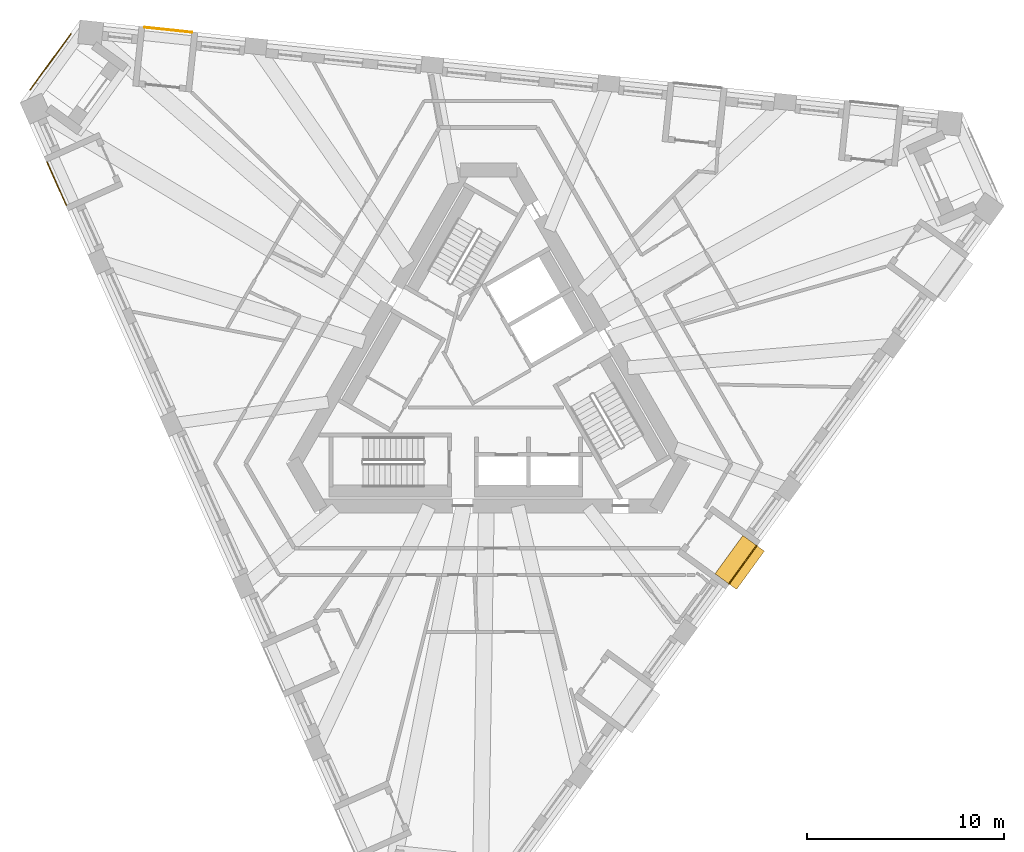
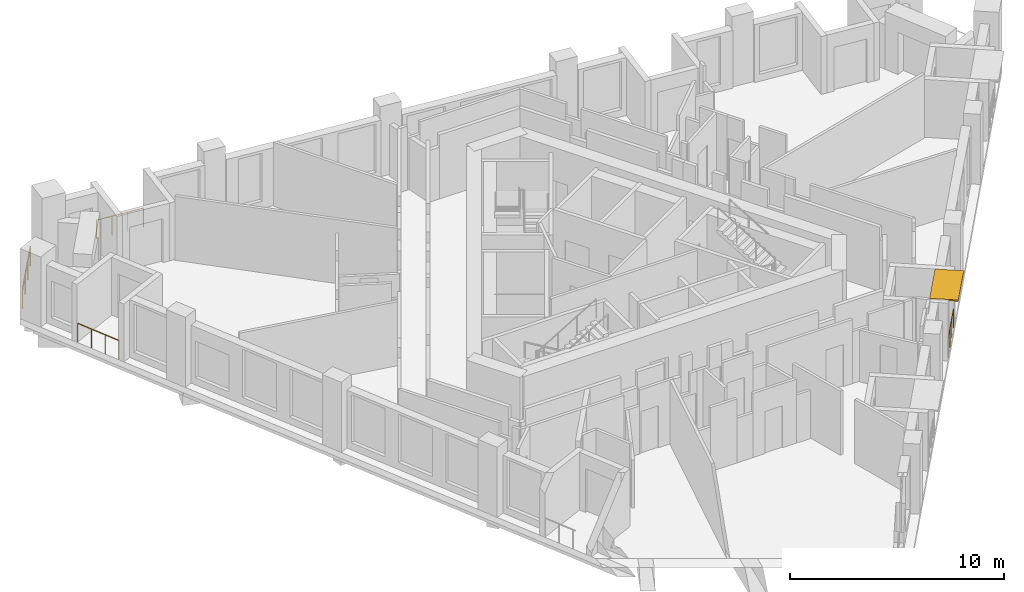
# One storey, part 10 of 11: 4 railings, 1 shading device.
"""IFC4 building model written with IfcOpenShell, lengths in metres."""

from ifc_helpers import new_model, si_unit, direction, frame, origin, origin_2d, place, context, subcontext, project, spatial, rectangle, circle, extrude, material, layer, layer_set, type_object, element, save


model = new_model("IFC4")

# Units and contexts
model_context = context("Model", 3, precision=1e-05, world=origin(), true_north=direction((0.0, 1.0)))
body_context = subcontext(model_context, "Body", "Model", "MODEL_VIEW")
ifc_project = project(units=[si_unit("LENGTHUNIT", "METRE"), si_unit("AREAUNIT", "SQUARE_METRE"), si_unit("VOLUMEUNIT", "CUBIC_METRE"), si_unit("PLANEANGLEUNIT", "RADIAN"), si_unit("MASSUNIT", "GRAM", prefix="KILO")], contexts=[model_context])

# Site, building, storey
site_placement = place(None, origin())
site = spatial("IfcSite", under=ifc_project, at=site_placement, CompositionType="ELEMENT")
building_placement = place(site_placement, origin())
building = spatial("IfcBuilding", under=site, at=building_placement, Name="Tramontana Tower", CompositionType="ELEMENT")
storey_placement = place(building_placement, frame((0.0, 0.0, 253.199951171875)))
storey = spatial("IfcBuildingStorey", under=building, at=storey_placement, Name="L59", CompositionType="ELEMENT", Elevation=253.199951171875)

# Railings
ifc_material_1 = material(Name="Laminated glass balustrade", Category="glass")
railing_type = type_object("IfcRailingType", Name="GD1 Loggia glass balustrade 1100", PredefinedType="BALUSTRADE", material=ifc_material_1)
railing_1_placement = place(storey_placement, frame((-22.404541015625, 11.0576171875, 0.0)))
element("IfcRailing", 1, at=railing_1_placement, inside=storey, type_object=railing_type, Name="Loggia balustrade L59 G6S0.1", PredefinedType="BALUSTRADE", context=body_context, shape_type="SweptSolid", body=[
    extrude(circle(Radius=0.02392578125, at=origin_2d()), frame((0.0, 0.0, 1.076171875), z_axis=(0.406723017018, -0.913551524232, 0.0), x_axis=(0.913551524232, 0.406723017018, 0.0)), (0.0, 0.0, 1.0), 2.40234375),
    extrude(circle(Radius=0.02099609375, at=origin_2d()), origin(), (0.0, 0.0, 1.0), 1.052001953125),
    extrude(circle(Radius=0.02099609375, at=origin_2d()), frame((0.32568359375, -0.7314453125, 0.0)), (0.0, 0.0, 1.0), 1.052001953125),
    extrude(circle(Radius=0.02099609375, at=origin_2d()), frame((0.6513671875, -1.463134765625, 0.0)), (0.0, 0.0, 1.0), 1.052001953125),
    extrude(circle(Radius=0.02099609375, at=origin_2d()), frame((0.97705078125, -2.194580078125, 0.0)), (0.0, 0.0, 1.0), 1.052001953125),
])
railing_2_placement = place(storey_placement, frame((12.214111328125, -10.358642578125, 0.0)))
element("IfcRailing", 2, at=railing_2_placement, inside=storey, type_object=railing_type, Name="Loggia balustrade L59 G6S1.7", PredefinedType="BALUSTRADE", context=body_context, shape_type="SweptSolid", body=[
    extrude(circle(Radius=0.02392578125, at=origin_2d()), frame((0.0, 0.0, 1.076171875), z_axis=(0.58776672416, 0.809030455527, 0.0), x_axis=(-0.809030455527, 0.58776672416, 0.0)), (0.0, 0.0, 1.0), 2.402099609375),
    extrude(circle(Radius=0.02099609375, at=origin_2d()), origin(), (0.0, 0.0, 1.0), 1.052001953125),
    extrude(circle(Radius=0.02099609375, at=origin_2d()), frame((0.470703125, 0.647705078125, 0.0)), (0.0, 0.0, 1.0), 1.052001953125),
    extrude(circle(Radius=0.02099609375, at=origin_2d()), frame((0.941162109375, 1.295654296875, 0.0)), (0.0, 0.0, 1.0), 1.052001953125),
    extrude(circle(Radius=0.02099609375, at=origin_2d()), frame((1.411865234375, 1.943359375, 0.0)), (0.0, 0.0, 1.0), 1.052001953125),
])
railing_3_placement = place(storey_placement, frame((-15.05078125, 17.639892578125, 0.0)))
element("IfcRailing", 3, at=railing_3_placement, inside=storey, type_object=railing_type, Name="Loggia balustrade L59 G6S2.13", PredefinedType="BALUSTRADE", context=body_context, shape_type="SweptSolid", body=[
    extrude(circle(Radius=0.02392578125, at=origin_2d()), frame((0.0, 0.0, 1.076171875), z_axis=(-0.994527704951, 0.104473173992, 0.0), x_axis=(-0.104473173992, -0.994527704951, 0.0)), (0.0, 0.0, 1.0), 2.40234375),
    extrude(circle(Radius=0.02099609375, at=origin_2d()), origin(), (0.0, 0.0, 1.0), 1.052001953125),
    extrude(circle(Radius=0.02099609375, at=origin_2d()), frame((-0.79638671875, 0.083740234375, 0.0)), (0.0, 0.0, 1.0), 1.052001953125),
    extrude(circle(Radius=0.02099609375, at=origin_2d()), frame((-1.5927734375, 0.167236328125, 0.0)), (0.0, 0.0, 1.0), 1.052001953125),
    extrude(circle(Radius=0.02099609375, at=origin_2d()), frame((-2.38916015625, 0.2509765625, 0.0)), (0.0, 0.0, 1.0), 1.052001953125),
])
railing_4_placement = place(storey_placement, frame((-23.25244140625, 14.730712890625, 0.0)))
element("IfcRailing", 4, at=railing_4_placement, inside=storey, type_object=railing_type, Name="Corner loggia balustrade L59 K60", PredefinedType="BALUSTRADE", context=body_context, shape_type="SweptSolid", body=[
    extrude(circle(Radius=0.02392578125, at=origin_2d()), frame((0.0, 0.0, 1.076171875), z_axis=(0.587810807352, 0.808998426921, 0.0), x_axis=(-0.808998426921, 0.587810807352, 0.0)), (0.0, 0.0, 1.0), 3.5),
    extrude(circle(Radius=0.02099609375, at=origin_2d()), origin(), (0.0, 0.0, 1.0), 1.052001953125),
    extrude(circle(Radius=0.02099609375, at=origin_2d()), frame((0.685791015625, 0.94384765625, 0.0)), (0.0, 0.0, 1.0), 1.052001953125),
    extrude(circle(Radius=0.02099609375, at=origin_2d()), frame((1.37158203125, 1.8876953125, 0.0)), (0.0, 0.0, 1.0), 1.052001953125),
    extrude(circle(Radius=0.02099609375, at=origin_2d()), frame((2.057373046875, 2.83154296875, 0.0)), (0.0, 0.0, 1.0), 1.052001953125),
])

# Shading device
ifc_material_2 = material(Name="Precast concrete 60 MPa", Category="concrete")
ifc_layer = layer(ifc_material_2, 0.080078125)
ifc_layer_set = layer_set([ifc_layer], Name="SS3 Stone sunshade blade 80")
shading_device_type = type_object("IfcShadingDeviceType", Name="SS3 Stone sunshade blade 80", PredefinedType="USERDEFINED", material=ifc_layer_set)
shading_device_placement = place(storey_placement, frame((12.76220703125, -9.272216796875, 3.219970703125), z_axis=(0.0, 0.0, 1.0), x_axis=(0.587785252292, 0.809016994375, 0.0)))
element("IfcShadingDevice", 5, at=shading_device_placement, inside=storey, type_object=shading_device_type, Name="Sunshade L59 G6S1.7", ObjectType="SUNSHADE", PredefinedType="USERDEFINED", context=body_context, shape_type="SweptSolid", body=[
    extrude(rectangle(XDim=2.402099609375, YDim=1.35009765625, at=origin_2d()), origin(), (0.0, 0.0, 1.0), 0.080078125),
])

save(model, "model.ifc")
